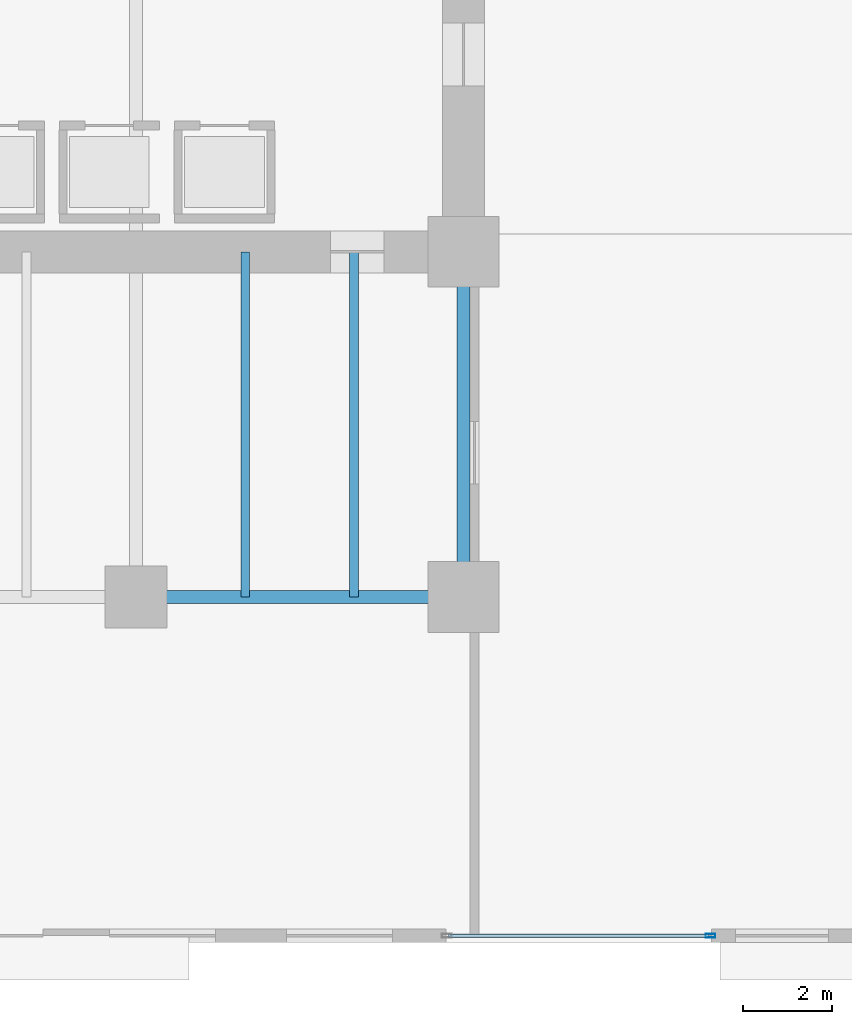
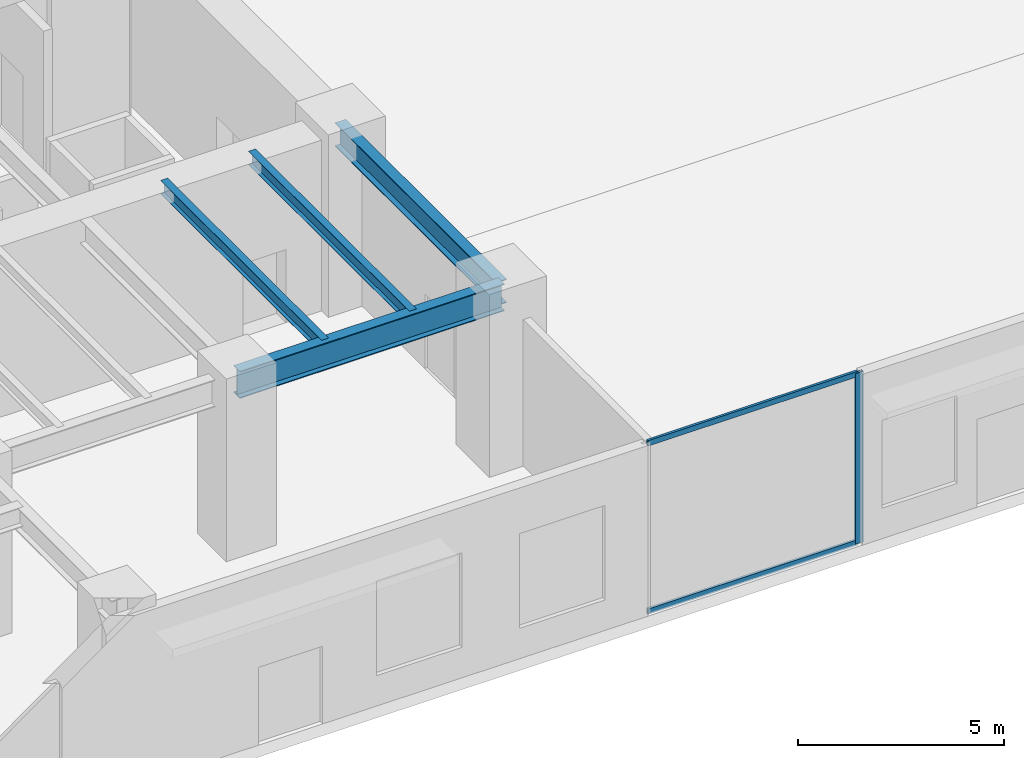
# One storey, part 4 of 28: 4 beams, 3 members, 1 element without a shape of its own.
"""IFC4 building model written with IfcOpenShell, lengths in metres."""

from ifc_helpers import new_model, si_unit, direction, frame, origin, origin_2d, place, context, subcontext, project, spatial, hollow_rectangle, i_section, extrude, source, transform, mapped, material, layer, layer_set, material_profile, profile_set, type_object, type_shapes, element, aggregate, save


model = new_model("IFC4")

# Units and contexts
model_context = context("Model", 3, precision=1e-05, world=origin(), true_north=direction((0.0, 1.0)))
body_context = subcontext(model_context, "Body", "Model", "MODEL_VIEW")
ifc_project = project(units=[si_unit("LENGTHUNIT", "METRE"), si_unit("AREAUNIT", "SQUARE_METRE"), si_unit("VOLUMEUNIT", "CUBIC_METRE"), si_unit("PLANEANGLEUNIT", "RADIAN"), si_unit("MASSUNIT", "GRAM", prefix="KILO")], contexts=[model_context])

# Site, building, storey
site_placement = place(None, origin())
site = spatial("IfcSite", under=ifc_project, at=site_placement, CompositionType="ELEMENT")
building_placement = place(site_placement, origin())
building = spatial("IfcBuilding", under=site, at=building_placement, Name="Haelvirn Gate Laboratories", CompositionType="ELEMENT")
storey_placement = place(building_placement, origin())
storey = spatial("IfcBuildingStorey", under=building, at=storey_placement, Name="L01", CompositionType="ELEMENT", Elevation=0.0)

# Beams
ifc_material_1 = material(Name="Steel SM420", Category="steel")
ifc_material_profile_1 = material_profile(ifc_material_1, i_section(OverallWidth=0.300048828125, OverallDepth=0.800048828125, WebThickness=0.013916015625, FlangeThickness=0.02587890625, at=origin_2d()), Name="H-800x300x14x26")
ifc_profile_set_1 = profile_set([ifc_material_profile_1], Name="Steel SM420")
beam_type_1 = type_object("IfcBeamType", Name="BM-G-800", PredefinedType="BEAM", material=ifc_profile_set_1)
shared_shape_1 = source(origin(), body_context, "Body", "SweptSolid", [
    extrude(i_section(OverallWidth=0.300048828125, OverallDepth=0.800048828125, WebThickness=0.013916015625, FlangeThickness=0.02587890625, at=origin_2d()), origin(), (0.0, 0.0, 1.0), 7.39990234375),
])
type_shapes(beam_type_1, [shared_shape_1])
beam_1_placement = place(storey_placement, frame((14.800048828125, 7.0, 4.64990234375), z_axis=(1.0, 0.0, 0.0), x_axis=(0.0, 1.0, 0.0)))
element("IfcBeam", 1, at=beam_1_placement, inside=storey, type_object=beam_type_1, Name="L01 Primary Girder Y7.0 (14.8-22.2)", PredefinedType="BEAM", context=body_context, shape_type="MappedRepresentation", body=[
    mapped(shared_shape_1, transform((0.0, 0.0, 0.0), scale=1.0)),
])
ifc_material_2 = material(Name="Steel SM355", Category="steel")
ifc_material_profile_2 = material_profile(ifc_material_2, i_section(OverallWidth=0.199951171875, OverallDepth=0.39990234375, WebThickness=0.008056640625, FlangeThickness=0.012939453125, at=origin_2d()), Name="H-400x200x8x13")
ifc_profile_set_2 = profile_set([ifc_material_profile_2], Name="Steel SM355")
beam_type_2 = type_object("IfcBeamType", Name="BM-J-400", PredefinedType="JOIST", material=ifc_profile_set_2)
shared_shape_2 = source(origin(), body_context, "Body", "SweptSolid", [
    extrude(i_section(OverallWidth=0.199951171875, OverallDepth=0.39990234375, WebThickness=0.008056640625, FlangeThickness=0.012939453125, at=origin_2d()), origin(), (0.0, 0.0, 1.0), 7.800048828125),
])
type_shapes(beam_type_2, [shared_shape_2])
for number, where, z_axis, x_axis, name in (
    (2, (17.27001953125, 7.0, 4.85009765625), (0.0, 1.0, 0.0), (-1.0, 0.0, 0.0), "L01 Composite Lab Joist South X17.27"),
    (3, (19.72998046875, 7.0, 4.85009765625), (0.0, 1.0, 0.0), (-1.0, 0.0, 0.0), "L01 Composite Lab Joist South X19.73"),
):
    element("IfcBeam", number, at=place(storey_placement, frame(where, z_axis=z_axis, x_axis=x_axis)), inside=storey, type_object=beam_type_2, Name=name, PredefinedType="JOIST", context=body_context, shape_type="MappedRepresentation", body=[
        mapped(shared_shape_2, transform((0.0, 0.0, 0.0), scale=1.0)),
    ])
ifc_material_profile_3 = material_profile(ifc_material_2, i_section(OverallWidth=0.300048828125, OverallDepth=0.699951171875, WebThickness=0.012939453125, FlangeThickness=0.02392578125, at=origin_2d()), Name="H-700x300x13x24")
ifc_profile_set_3 = profile_set([ifc_material_profile_3], Name="Steel SM355")
beam_type_3 = type_object("IfcBeamType", Name="BM-G-700", PredefinedType="BEAM", material=ifc_profile_set_3)
shared_shape_3 = source(origin(), body_context, "Body", "SweptSolid", [
    extrude(i_section(OverallWidth=0.300048828125, OverallDepth=0.699951171875, WebThickness=0.012939453125, FlangeThickness=0.02392578125, at=origin_2d()), origin(), (0.0, 0.0, 1.0), 7.800048828125),
])
type_shapes(beam_type_3, [shared_shape_3])
beam_2_placement = place(storey_placement, frame((22.199951171875, 7.0, 4.699951171875), z_axis=(0.0, 1.0, 0.0), x_axis=(-1.0, 0.0, 0.0)))
element("IfcBeam", 4, at=beam_2_placement, inside=storey, type_object=beam_type_3, Name="L01 Frame Girder X22.2 (7.0-14.8)", PredefinedType="BEAM", context=body_context, shape_type="MappedRepresentation", body=[
    mapped(shared_shape_3, transform((0.0, 0.0, 0.0), scale=1.0)),
])

# Curtain wall, members
ifc_material_3 = material(Name="Anodised bronze unitised aluminium & triple low-E glass", Category="aluminium")
ifc_layer = layer(ifc_material_3, 0.18798828125, Name="CW-SYS-1")
ifc_layer_set = layer_set([ifc_layer], Name="Anodised bronze unitised aluminium & triple low-E glass")
curtain_wall_type = type_object("IfcCurtainWallType", Name="CW-SYS-1", PredefinedType="NOTDEFINED", material=ifc_layer_set)
curtain_wall_placement = place(storey_placement, origin())
curtain_wall = element("IfcCurtainWall", 5, at=curtain_wall_placement, inside=storey, type_object=curtain_wall_type, Name="L01 Unitised Curtain Wall CW-L01-SL", PredefinedType="NOTDEFINED")
ifc_material_4 = material(Name="Extruded aluminium 6063-T6 (anodised bronze)", Category="aluminium")
ifc_material_profile_4 = material_profile(ifc_material_4, hollow_rectangle(XDim=0.080078125, YDim=0.219970703125, WallThickness=0.006103515625, at=origin_2d()), Name="CWM-220x80x6")
ifc_profile_set_4 = profile_set([ifc_material_profile_4], Name="Extruded aluminium 6063-T6 (anodised bronze)")
member_type_1 = type_object("IfcMemberType", Name="CWM-T220", PredefinedType="MULLION", material=ifc_profile_set_4)
shared_shape_4 = source(origin(), body_context, "Body", "SweptSolid", [
    extrude(hollow_rectangle(XDim=0.080078125, YDim=0.219970703125, WallThickness=0.006103515625, at=origin_2d()), origin(), (0.0, 0.0, 1.0), 5.050048828125),
])
type_shapes(member_type_1, [shared_shape_4])
member_1_placement = place(storey_placement, frame((27.780029296875, -0.64990234375, 0.0), z_axis=(0.0, 0.0, 1.0), x_axis=(0.0, 1.0, 0.0)))
member_1 = element("IfcMember", 6, at=member_1_placement, type_object=member_type_1, Name="CW1 mullion 2", PredefinedType="MULLION", context=body_context, shape_type="MappedRepresentation", body=[
    mapped(shared_shape_4, transform((0.0, 0.0, 0.0), scale=1.0)),
])
ifc_material_profile_5 = material_profile(ifc_material_4, hollow_rectangle(XDim=0.070068359375, YDim=0.159912109375, WallThickness=0.0048828125, at=origin_2d()), Name="CWT-160x70x5")
ifc_profile_set_5 = profile_set([ifc_material_profile_5], Name="Extruded aluminium 6063-T6 (anodised bronze)")
member_type_2 = type_object("IfcMemberType", Name="CWT-T160", PredefinedType="USERDEFINED", material=ifc_profile_set_5)
shared_shape_5 = source(origin(), body_context, "Body", "SweptSolid", [
    extrude(hollow_rectangle(XDim=0.070068359375, YDim=0.159912109375, WallThickness=0.0048828125, at=origin_2d()), origin(), (0.0, 0.0, 1.0), 5.8798828125),
])
type_shapes(member_type_2, [shared_shape_5])
member_2_placement = place(storey_placement, frame((21.860107421875, -0.64990234375, 0.034912109375), z_axis=(1.0, 0.0, 0.0), x_axis=(0.0, 1.0, 0.0)))
member_2 = element("IfcMember", 7, at=member_2_placement, type_object=member_type_2, Name="CW1 transom 1.1", ObjectType="TRANSOM", PredefinedType="USERDEFINED", context=body_context, shape_type="MappedRepresentation", body=[
    mapped(shared_shape_5, transform((0.0, 0.0, 0.0), scale=1.0)),
])
member_3_placement = place(storey_placement, frame((21.860107421875, -0.64990234375, 5.014892578125), z_axis=(1.0, 0.0, 0.0), x_axis=(0.0, 1.0, 0.0)))
member_3 = element("IfcMember", 8, at=member_3_placement, type_object=member_type_2, Name="CW1 transom 1.2", ObjectType="TRANSOM", PredefinedType="USERDEFINED", context=body_context, shape_type="MappedRepresentation", body=[
    mapped(shared_shape_5, transform((0.0, 0.0, 0.0), scale=1.0)),
])
aggregate(curtain_wall, [member_1, member_2, member_3])

save(model, "model.ifc")
